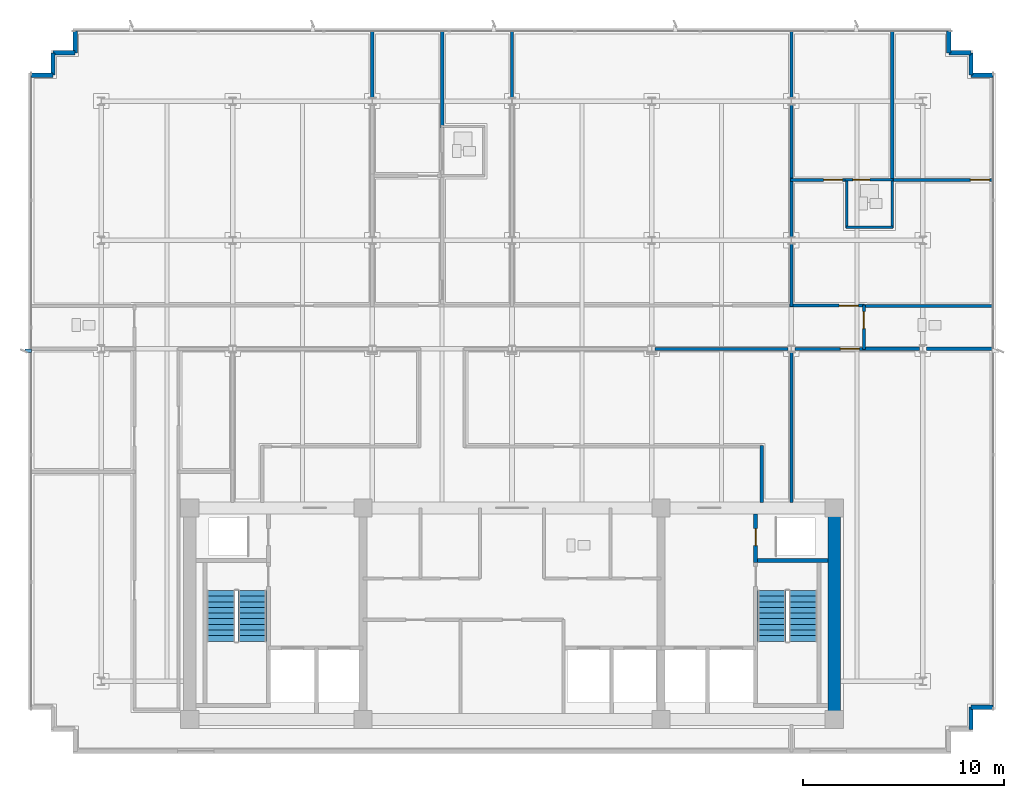
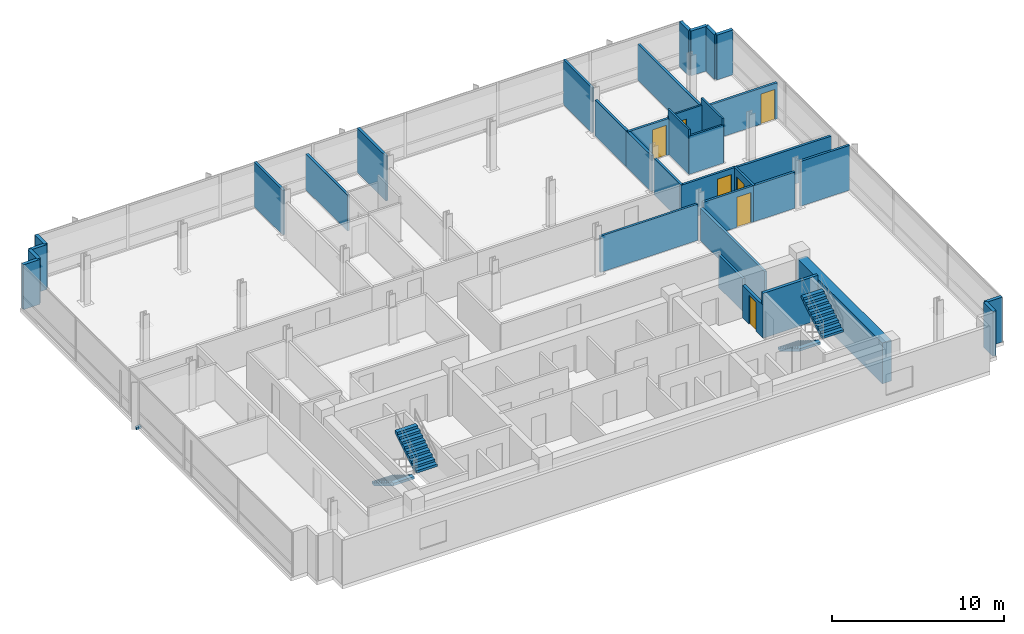
# One storey, part 12 of 18: 36 walls, 7 doors, 4 stair flights, 1 discrete accessory, 7 openings, 2 elements without a shape of their own.
"""IFC4 building model written with IfcOpenShell, lengths in metres."""

from ifc_helpers import new_model, si_unit, direction, frame, frame_2d, origin, origin_2d, place, context, subcontext, project, spatial, polyline, rectangle, outline, extrude, material, layer, layer_set, type_object, element, fill, aggregate, save


model = new_model("IFC4")

# Units and contexts
model_context = context("Model", 3, precision=1e-05, world=origin(), true_north=direction((0.0, 1.0)))
body_context = subcontext(model_context, "Body", "Model", "MODEL_VIEW")
ifc_project = project(units=[si_unit("LENGTHUNIT", "METRE"), si_unit("AREAUNIT", "SQUARE_METRE"), si_unit("VOLUMEUNIT", "CUBIC_METRE"), si_unit("PLANEANGLEUNIT", "RADIAN"), si_unit("MASSUNIT", "GRAM", prefix="KILO")], contexts=[model_context])

# Site, building, storey
site_placement = place(None, origin())
site = spatial("IfcSite", under=ifc_project, at=site_placement, CompositionType="ELEMENT")
building_placement = place(site_placement, origin())
building = spatial("IfcBuilding", under=site, at=building_placement, Name="Solmavex Isthmus Hotel", CompositionType="ELEMENT")
storey_placement = place(building_placement, frame((0.0, 0.0, 283.35009765625)))
storey = spatial("IfcBuildingStorey", under=building, at=storey_placement, Name="L77", CompositionType="ELEMENT", Elevation=283.35009765625)

# Walls
ifc_material_1 = material(Name="Precast Concrete C40/50", Category="concrete")
ifc_layer_1 = layer(ifc_material_1, 0.25)
ifc_layer_set_1 = layer_set([ifc_layer_1], Name="Precast Concrete C40/50")
wall_type_1 = type_object("IfcWallType", Name="EW-TWR-250", PredefinedType="STANDARD", material=ifc_layer_set_1)
wall_1_placement = place(storey_placement, frame((-23.889892578125, 18.989990234375, 0.0), z_axis=(0.0, 0.0, 1.0), x_axis=(1.0, 0.0, 0.0)))
element("IfcWall", 1, at=wall_1_placement, inside=storey, type_object=wall_type_1, Name="Serrated Corner Facade Panel L77-06", PredefinedType="STANDARD", context=body_context, shape_type="SweptSolid", body=[
    extrude(rectangle(XDim=1.099853515625, YDim=0.219970703125, at=frame_2d((0.5498046875, 0.0))), origin(), (0.0, 0.0, 1.0), 3.18994140625),
])
for number, where, z_axis, x_axis, name in (
    (2, (-22.7900390625, 18.989990234375, 0.0), (0.0, 0.0, 1.0), (0.0, 1.0, 0.0), "Serrated Corner Facade Panel L77-07"),
    (3, (-22.7900390625, 20.090087890625, 0.0), (0.0, 0.0, 1.0), (1.0, 0.0, 0.0), "Serrated Corner Facade Panel L77-08"),
):
    element("IfcWall", number, at=place(storey_placement, frame(where, z_axis=z_axis, x_axis=x_axis)), inside=storey, type_object=wall_type_1, Name=name, PredefinedType="STANDARD", context=body_context, shape_type="SweptSolid", body=[
        extrude(rectangle(XDim=1.10009765625, YDim=0.219970703125, at=frame_2d((0.550048828125, 0.0))), origin(), (0.0, 0.0, 1.0), 3.18994140625),
    ])
for number, where, z_axis, x_axis, name in (
    (4, (-21.68994140625, 20.090087890625, 0.0), (0.0, 0.0, 1.0), (0.0, 1.0, 0.0), "Serrated Corner Facade Panel L77-09"),
    (5, (21.68994140625, 21.18994140625, 0.0), (0.0, 0.0, 1.0), (0.0, -1.0, 0.0), "Serrated Corner Facade Panel L77-11"),
):
    element("IfcWall", number, at=place(storey_placement, frame(where, z_axis=z_axis, x_axis=x_axis)), inside=storey, type_object=wall_type_1, Name=name, PredefinedType="STANDARD", context=body_context, shape_type="SweptSolid", body=[
        extrude(rectangle(XDim=1.099853515625, YDim=0.219970703125, at=frame_2d((0.5498046875, 0.0))), origin(), (0.0, 0.0, 1.0), 3.18994140625),
    ])
for number, where, z_axis, x_axis, name in (
    (6, (21.68994140625, 20.090087890625, 0.0), (0.0, 0.0, 1.0), (1.0, 0.0, 0.0), "Serrated Corner Facade Panel L77-12"),
    (7, (22.7900390625, 20.090087890625, 0.0), (0.0, 0.0, 1.0), (0.0, -1.0, 0.0), "Serrated Corner Facade Panel L77-13"),
):
    element("IfcWall", number, at=place(storey_placement, frame(where, z_axis=z_axis, x_axis=x_axis)), inside=storey, type_object=wall_type_1, Name=name, PredefinedType="STANDARD", context=body_context, shape_type="SweptSolid", body=[
        extrude(rectangle(XDim=1.10009765625, YDim=0.219970703125, at=frame_2d((0.550048828125, 0.0))), origin(), (0.0, 0.0, 1.0), 3.18994140625),
    ])
for number, where, z_axis, x_axis, name in (
    (8, (22.7900390625, 18.989990234375, 0.0), (0.0, 0.0, 1.0), (1.0, 0.0, 0.0), "Serrated Corner Facade Panel L77-14"),
    (9, (23.889892578125, -12.389892578125, 0.0), (0.0, 0.0, 1.0), (-1.0, 0.0, 0.0), "Serrated Corner Facade Panel L77-16"),
):
    element("IfcWall", number, at=place(storey_placement, frame(where, z_axis=z_axis, x_axis=x_axis)), inside=storey, type_object=wall_type_1, Name=name, PredefinedType="STANDARD", context=body_context, shape_type="SweptSolid", body=[
        extrude(rectangle(XDim=1.099853515625, YDim=0.219970703125, at=frame_2d((0.5498046875, 0.0))), origin(), (0.0, 0.0, 1.0), 3.18994140625),
    ])
wall_2_placement = place(storey_placement, frame((22.7900390625, -12.389892578125, 0.0), z_axis=(0.0, 0.0, 1.0), x_axis=(0.0, -1.0, 0.0)))
element("IfcWall", 10, at=wall_2_placement, inside=storey, type_object=wall_type_1, Name="Serrated Corner Facade Panel L77-17", PredefinedType="STANDARD", context=body_context, shape_type="SweptSolid", body=[
    extrude(rectangle(XDim=1.10009765625, YDim=0.219970703125, at=frame_2d((0.550048828125, 0.0))), origin(), (0.0, 0.0, 1.0), 3.18994140625),
])
ifc_material_2 = material(Name="Gypsum plasterboard lining", Category="gypsum")
ifc_layer_2 = layer(ifc_material_2, 0.159912109375)
ifc_layer_set_2 = layer_set([ifc_layer_2], Name="Gypsum plasterboard lining")
wall_type_2 = type_object("IfcWallType", Name="IW-COMP-160", PredefinedType="PARTITIONING", material=ifc_layer_set_2)
wall_3_placement = place(storey_placement, frame((-6.93603515625, 21.219970703125, 0.0), z_axis=(0.0, 0.0, 1.0), x_axis=(0.0, -1.0, 0.0)))
element("IfcWall", 11, at=wall_3_placement, inside=storey, type_object=wall_type_2, Name="Interior Partition Wall W-L77-P032", PredefinedType="PARTITIONING", context=body_context, shape_type="SweptSolid", body=[
    extrude(rectangle(XDim=3.344970703125, YDim=0.159912109375, at=frame_2d((1.67236328125, 0.0))), origin(), (0.0, 0.0, 1.0), 3.18994140625),
])
wall_4_placement = place(storey_placement, frame((-3.468017578125, 21.219970703125, 0.0), z_axis=(0.0, 0.0, 1.0), x_axis=(0.0, -1.0, 0.0)))
element("IfcWall", 12, at=wall_4_placement, inside=storey, type_object=wall_type_2, Name="Interior Partition Wall W-L77-P036", PredefinedType="PARTITIONING", context=body_context, shape_type="SweptSolid", body=[
    extrude(rectangle(XDim=4.864013671875, YDim=0.159912109375, at=frame_2d((2.43212890625, 0.0))), origin(), (0.0, 0.0, 1.0), 2.557373046875),
])
wall_5_placement = place(storey_placement, frame((0.0, 21.219970703125, 0.0), z_axis=(0.0, 0.0, 1.0), x_axis=(0.0, -1.0, 0.0)))
element("IfcWall", 13, at=wall_5_placement, inside=storey, type_object=wall_type_2, Name="Interior Partition Wall W-L77-P043", PredefinedType="PARTITIONING", context=body_context, shape_type="SweptSolid", body=[
    extrude(rectangle(XDim=3.344970703125, YDim=0.159912109375, at=frame_2d((1.67236328125, 0.0))), origin(), (0.0, 0.0, 1.0), 3.18994140625),
])
wall_6_placement = place(storey_placement, frame((13.8720703125, 10.613037109375, 0.0), z_axis=(0.0, 0.0, 1.0), x_axis=(0.0, -1.0, 0.0)))
element("IfcWall", 14, at=wall_6_placement, inside=storey, type_object=wall_type_2, Name="Interior Partition Wall W-L77-P044", PredefinedType="PARTITIONING", context=body_context, shape_type="SweptSolid", body=[
    extrude(rectangle(XDim=3.10302734375, YDim=0.159912109375, at=frame_2d((1.551513671875, 0.0))), origin(), (0.0, 0.0, 1.0), 2.572265625),
])
wall_7_placement = place(storey_placement, frame((13.8720703125, 13.8701171875, 0.0), z_axis=(0.0, 0.0, 1.0), x_axis=(0.0, -1.0, 0.0)))
element("IfcWall", 15, at=wall_7_placement, inside=storey, type_object=wall_type_2, Name="Interior Partition Wall W-L77-P045", PredefinedType="PARTITIONING", context=body_context, shape_type="SweptSolid", body=[
    extrude(rectangle(XDim=2.9072265625, YDim=0.159912109375, at=frame_2d((1.45361328125, 0.0))), origin(), (0.0, 0.0, 1.0), 2.572265625),
])
wall_8_placement = place(storey_placement, frame((13.8720703125, 17.52490234375, 0.0), z_axis=(0.0, 0.0, 1.0), x_axis=(0.0, -1.0, 0.0)))
element("IfcWall", 16, at=wall_8_placement, inside=storey, type_object=wall_type_2, Name="Interior Partition Wall W-L77-P046", PredefinedType="PARTITIONING", context=body_context, shape_type="SweptSolid", body=[
    extrude(rectangle(XDim=3.81884765625, YDim=0.159912109375, at=frame_2d((1.909423828125, 0.0))), origin(), (0.0, 0.0, 1.0), 2.572265625),
])
wall_9_placement = place(storey_placement, frame((13.8720703125, 21.219970703125, 0.0), z_axis=(0.0, 0.0, 1.0), x_axis=(0.0, -1.0, 0.0)))
element("IfcWall", 17, at=wall_9_placement, inside=storey, type_object=wall_type_2, Name="Interior Partition Wall W-L77-P047", PredefinedType="PARTITIONING", context=body_context, shape_type="SweptSolid", body=[
    extrude(rectangle(XDim=3.344970703125, YDim=0.159912109375, at=frame_2d((1.67236328125, 0.0))), origin(), (0.0, 0.0, 1.0), 3.18994140625),
])

# Wall, opening, door
wall_10_placement = place(storey_placement, frame((13.83203125, 13.7880859375, 0.0), z_axis=(0.0, 0.0, 1.0), x_axis=(1.0, 0.0, 0.0)))
wall_10 = element("IfcWall", 18, at=wall_10_placement, inside=storey, type_object=wall_type_2, Name="Interior Partition Wall W-L77-P048", PredefinedType="PARTITIONING", context=body_context, shape_type="SweptSolid", body=[
    extrude(rectangle(XDim=2.833984375, YDim=0.159912109375, at=frame_2d((1.4169921875, 0.0))), origin(), (0.0, 0.0, 1.0), 2.572265625),
])
opening_1_placement = place(wall_10_placement, frame((1.635986328125, 0.0, 0.0)))
opening_1 = element("IfcOpeningElement", 19, at=opening_1_placement, cuts=wall_10, Name="Opening ID-C095", PredefinedType="OPENING", context=body_context, shape_type="SweptSolid", body=[
    extrude(rectangle(XDim=0.949951171875, YDim=2.14990234375, at=frame_2d((0.47509765625, 1.074951171875))), frame((0.0, 0.08984375, 0.0), z_axis=(0.0, -1.0, 0.0), x_axis=(1.0, 0.0, 0.0)), (0.0, 0.0, 1.0), 0.179931640625),
])
ifc_material_3 = material(Name="Hardwood timber", Category="wood")
door_type_1 = type_object("IfcDoorType", Name="IDR-FD60-0950", OperationType="NOTDEFINED", PredefinedType="DOOR", material=ifc_material_3)
door_1_placement = place(opening_1_placement, origin())
door_1 = element("IfcDoor", 20, at=door_1_placement, inside=storey, type_object=door_type_1, Name="Ambassador Panorama Suite Master Bedroom Door L77-08", OperationType="SINGLE_SWING_RIGHT", OverallHeight=2.14990234375, OverallWidth=0.949951171875, PredefinedType="DOOR", context=body_context, shape_type="SweptSolid", body=[
    extrude(rectangle(XDim=0.949951171875, YDim=2.14990234375, at=frame_2d((0.47509765625, 1.074951171875))), frame((0.0, 0.02490234375, 0.0), z_axis=(0.0, -1.0, 0.0), x_axis=(1.0, 0.0, 0.0)), (0.0, 0.0, 1.0), 0.050048828125),
])
fill(opening_1, door_1)

wall_11_placement = place(storey_placement, frame((18.8359375, 13.7880859375, 0.0), z_axis=(0.0, 0.0, 1.0), x_axis=(1.0, 0.0, 0.0)))
wall_11 = element("IfcWall", 21, at=wall_11_placement, inside=storey, type_object=wall_type_2, Name="Interior Partition Wall W-L77-P049", PredefinedType="PARTITIONING", context=body_context, shape_type="SweptSolid", body=[
    extrude(rectangle(XDim=5.083984375, YDim=0.159912109375, at=frame_2d((2.5419921875, 0.0))), origin(), (0.0, 0.0, 1.0), 2.557373046875),
])
opening_2_placement = place(wall_11_placement, frame((3.924072265625, 0.0, 0.0)))
opening_2 = element("IfcOpeningElement", 22, at=opening_2_placement, cuts=wall_11, Name="Opening ID-C095", PredefinedType="OPENING", context=body_context, shape_type="SweptSolid", body=[
    extrude(rectangle(XDim=0.949951171875, YDim=2.14990234375, at=frame_2d((0.47509765625, 1.074951171875))), frame((0.0, 0.08984375, 0.0), z_axis=(0.0, -1.0, 0.0), x_axis=(1.0, 0.0, 0.0)), (0.0, 0.0, 1.0), 0.179931640625),
])
door_2_placement = place(opening_2_placement, origin())
door_2 = element("IfcDoor", 23, at=door_2_placement, inside=storey, type_object=door_type_1, Name="Ambassador Panorama Suite Panorama Sitting Study Door L77-09", OperationType="SINGLE_SWING_LEFT", OverallHeight=2.14990234375, OverallWidth=0.949951171875, PredefinedType="DOOR", context=body_context, shape_type="SweptSolid", body=[
    extrude(rectangle(XDim=0.949951171875, YDim=2.14990234375, at=frame_2d((0.47509765625, 1.074951171875))), frame((0.0, 0.02490234375, 0.0), z_axis=(0.0, -1.0, 0.0), x_axis=(1.0, 0.0, 0.0)), (0.0, 0.0, 1.0), 0.050048828125),
])
fill(opening_2, door_2)

# Walls
wall_12_placement = place(storey_placement, frame((23.919921875, 7.530029296875, 0.0), z_axis=(0.0, 0.0, 1.0), x_axis=(-1.0, 0.0, 0.0)))
element("IfcWall", 24, at=wall_12_placement, inside=storey, type_object=wall_type_2, Name="Interior Partition Wall W-L77-P053", PredefinedType="PARTITIONING", context=body_context, shape_type="SweptSolid", body=[
    extrude(rectangle(XDim=6.488037109375, YDim=0.159912109375, at=frame_2d((3.244140625, 0.0))), origin(), (0.0, 0.0, 1.0), 2.557373046875),
])
wall_13_placement = place(storey_placement, frame((18.8759765625, 21.219970703125, 0.0), z_axis=(0.0, 0.0, 1.0), x_axis=(0.0, -1.0, 0.0)))
element("IfcWall", 25, at=wall_13_placement, inside=storey, type_object=wall_type_2, Name="Interior Partition Wall W-L77-P054", PredefinedType="PARTITIONING", context=body_context, shape_type="SweptSolid", body=[
    extrude(rectangle(XDim=7.471923828125, YDim=0.159912109375, at=frame_2d((3.73583984375, 0.0))), origin(), (0.0, 0.0, 1.0), 2.557373046875),
])
wall_14_placement = place(storey_placement, frame((20.22509765625, 5.39990234375, 0.0), z_axis=(0.0, 0.0, 1.0), x_axis=(-1.0, 0.0, 0.0)))
element("IfcWall", 26, at=wall_14_placement, inside=storey, type_object=wall_type_2, Name="Interior Partition Wall W-L77-P058", PredefinedType="PARTITIONING", context=body_context, shape_type="SweptSolid", body=[
    extrude(rectangle(XDim=2.793212890625, YDim=0.159912109375, at=frame_2d((1.396484375, 0.0))), origin(), (0.0, 0.0, 1.0), 2.572265625),
])
wall_15_placement = place(storey_placement, frame((23.919921875, 5.39990234375, 0.0), z_axis=(0.0, 0.0, 1.0), x_axis=(-1.0, 0.0, 0.0)))
element("IfcWall", 27, at=wall_15_placement, inside=storey, type_object=wall_type_2, Name="Interior Partition Wall W-L77-P059", PredefinedType="PARTITIONING", context=body_context, shape_type="SweptSolid", body=[
    extrude(rectangle(XDim=3.344970703125, YDim=0.159912109375, at=frame_2d((1.67236328125, 0.0))), origin(), (0.0, 0.0, 1.0), 3.18994140625),
])
wall_16_placement = place(storey_placement, frame((13.8720703125, 5.22509765625, 0.0), z_axis=(0.0, 0.0, 1.0), x_axis=(0.0, -1.0, 0.0)))
element("IfcWall", 28, at=wall_16_placement, inside=storey, type_object=wall_type_2, Name="Interior Partition Wall W-L77-P064", PredefinedType="PARTITIONING", context=body_context, shape_type="SweptSolid", body=[
    extrude(rectangle(XDim=7.465087890625, YDim=0.159912109375, at=frame_2d((3.732421875, 0.0))), origin(), (0.0, 0.0, 1.0), 2.324951171875),
])

# Wall, opening, door
ifc_layer_3 = layer(ifc_material_2, 0.14990234375)
ifc_layer_set_3 = layer_set([ifc_layer_3], Name="Gypsum plasterboard lining")
wall_type_3 = type_object("IfcWallType", Name="IW-CORR-150", PredefinedType="PARTITIONING", material=ifc_layer_set_3)
wall_17_placement = place(storey_placement, frame((13.7900390625, 7.550048828125, 0.0), z_axis=(0.0, 0.0, 1.0), x_axis=(1.0, 0.0, 0.0)))
wall_17 = element("IfcWall", 29, at=wall_17_placement, inside=storey, type_object=wall_type_3, Name="Interior Partition Wall W-L77-P005", PredefinedType="PARTITIONING", context=body_context, shape_type="SweptSolid", body=[
    extrude(rectangle(XDim=3.721923828125, YDim=0.14990234375, at=frame_2d((1.86083984375, 0.0))), origin(), (0.0, 0.0, 1.0), 2.572265625),
])
opening_3_placement = place(wall_17_placement, frame((2.456787109375, 0.0, 0.0)))
opening_3 = element("IfcOpeningElement", 30, at=opening_3_placement, cuts=wall_17, Name="Opening ID-C095", PredefinedType="OPENING", context=body_context, shape_type="SweptSolid", body=[
    extrude(rectangle(XDim=0.949951171875, YDim=2.14990234375, at=frame_2d((0.47509765625, 1.074951171875))), frame((0.0, 0.0849609375, 0.0), z_axis=(0.0, -1.0, 0.0), x_axis=(1.0, 0.0, 0.0)), (0.0, 0.0, 1.0), 0.169921875),
])
door_3_placement = place(opening_3_placement, origin())
door_3 = element("IfcDoor", 31, at=door_3_placement, inside=storey, type_object=door_type_1, Name="Ambassador Panorama Suite Living Salon Door L77-07", OperationType="SINGLE_SWING_LEFT", OverallHeight=2.14990234375, OverallWidth=0.949951171875, PredefinedType="DOOR", context=body_context, shape_type="SweptSolid", body=[
    extrude(rectangle(XDim=0.949951171875, YDim=2.14990234375, at=frame_2d((0.47509765625, 1.074951171875))), frame((0.0, 0.02490234375, 0.0), z_axis=(0.0, -1.0, 0.0), x_axis=(1.0, 0.0, 0.0)), (0.0, 0.0, 1.0), 0.050048828125),
])
fill(opening_3, door_3)

wall_18_placement = place(storey_placement, frame((17.471923828125, 7.570068359375, 0.0), z_axis=(0.0, 0.0, 1.0), x_axis=(0.0, -1.0, 0.0)))
wall_18 = element("IfcWall", 32, at=wall_18_placement, inside=storey, type_object=wall_type_3, Name="Interior Partition Wall W-L77-P007", PredefinedType="PARTITIONING", context=body_context, shape_type="SweptSolid", body=[
    extrude(rectangle(XDim=2.2099609375, YDim=0.14990234375, at=frame_2d((1.10498046875, 0.0))), origin(), (0.0, 0.0, 1.0), 2.572265625),
])
opening_4_placement = place(wall_18_placement, frame((0.322265625, 0.0, 0.0)))
opening_4 = element("IfcOpeningElement", 33, at=opening_4_placement, cuts=wall_18, Name="Opening ID-R085", PredefinedType="OPENING", context=body_context, shape_type="SweptSolid", body=[
    extrude(rectangle(XDim=0.85009765625, YDim=2.050048828125, at=frame_2d((0.425048828125, 1.02490234375))), frame((0.0, 0.0849609375, 0.0), z_axis=(0.0, -1.0, 0.0), x_axis=(1.0, 0.0, 0.0)), (0.0, 0.0, 1.0), 0.169921875),
])
ifc_material_4 = material(Name="Steel ASTM A500 Grade C", Category="steel")
door_type_2 = type_object("IfcDoorType", Name="IDR-FD60-0850", OperationType="NOTDEFINED", PredefinedType="DOOR", material=ifc_material_4)
door_4_placement = place(opening_4_placement, frame((0.85009765625, 0.0, 0.0), z_axis=(0.0, 0.0, 1.0), x_axis=(-1.0, 0.0, 0.0)))
door_4 = element("IfcDoor", 34, at=door_4_placement, inside=storey, type_object=door_type_2, Name="Public Restroom WC Door L77-12", OperationType="SINGLE_SWING_RIGHT", OverallHeight=2.050048828125, OverallWidth=0.85009765625, PredefinedType="DOOR", context=body_context, shape_type="SweptSolid", body=[
    extrude(rectangle(XDim=0.85009765625, YDim=2.050048828125, at=frame_2d((0.425048828125, 1.02490234375))), frame((0.0, 0.02490234375, 0.0), z_axis=(0.0, -1.0, 0.0), x_axis=(1.0, 0.0, 0.0)), (0.0, 0.0, 1.0), 0.050048828125),
])
fill(opening_4, door_4)

# Walls
wall_19_placement = place(storey_placement, frame((13.697021484375, 5.39990234375, 0.0), z_axis=(0.0, 0.0, 1.0), x_axis=(-1.0, 0.0, 0.0)))
element("IfcWall", 35, at=wall_19_placement, inside=storey, type_object=wall_type_3, Name="Interior Partition Wall W-L77-P017", PredefinedType="PARTITIONING", context=body_context, shape_type="SweptSolid", body=[
    extrude(rectangle(XDim=6.5859375, YDim=0.14990234375, at=frame_2d((3.29296875, 0.0))), origin(), (0.0, 0.0, 1.0), 2.572265625),
])
wall_20_placement = place(storey_placement, frame((12.39990234375, 0.590087890625, 0.0), z_axis=(0.0, 0.0, 1.0), x_axis=(0.0, -1.0, 0.0)))
element("IfcWall", 36, at=wall_20_placement, inside=storey, type_object=wall_type_3, Name="Interior Partition Wall W-L77-P024", PredefinedType="PARTITIONING", context=body_context, shape_type="SweptSolid", body=[
    extrude(rectangle(XDim=2.830078125, YDim=0.14990234375, at=frame_2d((1.4150390625, 0.0))), origin(), (0.0, 0.0, 1.0), 2.324951171875),
])

# Wall, opening, door
wall_21_placement = place(storey_placement, frame((17.511962890625, 5.39990234375, 0.0), z_axis=(0.0, 0.0, 1.0), x_axis=(-1.0, 0.0, 0.0)))
wall_21 = element("IfcWall", 37, at=wall_21_placement, inside=storey, type_object=wall_type_3, Name="Interior Partition Wall W-L77-P028", PredefinedType="PARTITIONING", context=body_context, shape_type="SweptSolid", body=[
    extrude(rectangle(XDim=3.46484375, YDim=0.14990234375, at=frame_2d((1.732421875, 0.0))), origin(), (0.0, 0.0, 1.0), 2.572265625),
])
opening_5_placement = place(wall_21_placement, frame((0.26220703125, 0.0, 0.0)))
opening_5 = element("IfcOpeningElement", 38, at=opening_5_placement, cuts=wall_21, Name="Opening ID-C095", PredefinedType="OPENING", context=body_context, shape_type="SweptSolid", body=[
    extrude(rectangle(XDim=0.949951171875, YDim=2.14990234375, at=frame_2d((0.47509765625, 1.074951171875))), frame((0.0, 0.0849609375, 0.0), z_axis=(0.0, -1.0, 0.0), x_axis=(1.0, 0.0, 0.0)), (0.0, 0.0, 1.0), 0.169921875),
])
door_5_placement = place(opening_5_placement, origin())
door_5 = element("IfcDoor", 39, at=door_5_placement, inside=storey, type_object=door_type_1, Name="Corporate Briefing Office Door L77-18", OperationType="SINGLE_SWING_RIGHT", OverallHeight=2.14990234375, OverallWidth=0.949951171875, PredefinedType="DOOR", context=body_context, shape_type="SweptSolid", body=[
    extrude(rectangle(XDim=0.949951171875, YDim=2.14990234375, at=frame_2d((0.47509765625, 1.074951171875))), frame((0.0, 0.02490234375, 0.0), z_axis=(0.0, -1.0, 0.0), x_axis=(1.0, 0.0, 0.0)), (0.0, 0.0, 1.0), 0.050048828125),
])
fill(opening_5, door_5)

# Walls
ifc_layer_4 = layer(ifc_material_2, 0.1201171875)
ifc_layer_set_4 = layer_set([ifc_layer_4], Name="Gypsum plasterboard lining")
wall_type_4 = type_object("IfcWallType", Name="IW-PART-120", PredefinedType="PARTITIONING", material=ifc_layer_set_4)
wall_22_placement = place(storey_placement, frame((16.6259765625, 13.827880859375, 0.0), z_axis=(0.0, 0.0, 1.0), x_axis=(0.0, -1.0, 0.0)))
element("IfcWall", 40, at=wall_22_placement, inside=storey, type_object=wall_type_4, Name="Interior Partition Wall W-L77-P050", PredefinedType="PARTITIONING", context=body_context, shape_type="SweptSolid", body=[
    extrude(rectangle(XDim=2.429931640625, YDim=0.1201171875, at=frame_2d((1.21484375, 0.0))), origin(), (0.0, 0.0, 1.0), 3.18994140625),
])
wall_23_placement = place(storey_placement, frame((16.5859375, 11.43798828125, 0.0), z_axis=(0.0, 0.0, 1.0), x_axis=(1.0, 0.0, 0.0)))
element("IfcWall", 41, at=wall_23_placement, inside=storey, type_object=wall_type_4, Name="Interior Partition Wall W-L77-P051", PredefinedType="PARTITIONING", context=body_context, shape_type="SweptSolid", body=[
    extrude(rectangle(XDim=2.330078125, YDim=0.1201171875, at=frame_2d((1.1650390625, 0.0))), origin(), (0.0, 0.0, 1.0), 2.718017578125),
])
wall_24_placement = place(storey_placement, frame((18.8759765625, 11.39794921875, 0.0), z_axis=(0.0, 0.0, 1.0), x_axis=(0.0, 1.0, 0.0)))
element("IfcWall", 42, at=wall_24_placement, inside=storey, type_object=wall_type_4, Name="Interior Partition Wall W-L77-P052", PredefinedType="PARTITIONING", context=body_context, shape_type="SweptSolid", body=[
    extrude(rectangle(XDim=2.429931640625, YDim=0.1201171875, at=frame_2d((1.21484375, 0.0))), origin(), (0.0, 0.0, 1.0), 3.18994140625),
])

# Wall, opening, door
wall_25_placement = place(storey_placement, frame((18.916015625, 13.7880859375, 0.0), z_axis=(0.0, 0.0, 1.0), x_axis=(-1.0, 0.0, 0.0)))
wall_25 = element("IfcWall", 43, at=wall_25_placement, inside=storey, type_object=wall_type_4, Name="Interior Partition Wall W-L77-P055", PredefinedType="PARTITIONING", context=body_context, shape_type="SweptSolid", body=[
    extrude(rectangle(XDim=2.3720703125, YDim=0.1201171875, at=frame_2d((1.18603515625, 0.0))), origin(), (0.0, 0.0, 1.0), 2.718017578125),
])
opening_6_placement = place(wall_25_placement, frame((1.14599609375, 0.0, 0.0)))
opening_6 = element("IfcOpeningElement", 44, at=opening_6_placement, cuts=wall_25, Name="Opening ID-U085", PredefinedType="OPENING", context=body_context, shape_type="SweptSolid", body=[
    extrude(rectangle(XDim=0.85009765625, YDim=2.10009765625, at=frame_2d((0.425048828125, 1.050048828125))), frame((0.0, 0.070068359375, 0.0), z_axis=(0.0, -1.0, 0.0), x_axis=(1.0, 0.0, 0.0)), (0.0, 0.0, 1.0), 0.14013671875),
])
door_type_3 = type_object("IfcDoorType", Name="IDR-UNR-0850", OperationType="NOTDEFINED", PredefinedType="DOOR", material=ifc_material_3)
door_6_placement = place(opening_6_placement, frame((0.85009765625, 0.0, 0.0), z_axis=(0.0, 0.0, 1.0), x_axis=(-1.0, 0.0, 0.0)))
door_6 = element("IfcDoor", 45, at=door_6_placement, inside=storey, type_object=door_type_3, Name="En-suite Bathroom Door L77-10", OperationType="SINGLE_SWING_RIGHT", OverallHeight=2.10009765625, OverallWidth=0.85009765625, PredefinedType="DOOR", context=body_context, shape_type="SweptSolid", body=[
    extrude(rectangle(XDim=0.85009765625, YDim=2.10009765625, at=frame_2d((0.425048828125, 1.050048828125))), frame((0.0, 0.02490234375, 0.0), z_axis=(0.0, -1.0, 0.0), x_axis=(1.0, 0.0, 0.0)), (0.0, 0.0, 1.0), 0.050048828125),
])
fill(opening_6, door_6)

ifc_material_5 = material(Name="Concrete C40/50", Category="concrete")
ifc_layer_5 = layer(ifc_material_5, 0.199951171875)
ifc_layer_set_5 = layer_set([ifc_layer_5], Name="Concrete C40/50")
wall_type_5 = type_object("IfcWallType", Name="IW-SHAFT-200", PredefinedType="PARTITIONING", material=ifc_layer_set_5)
wall_26_placement = place(storey_placement, frame((12.10009765625, -5.199951171875, 0.0), z_axis=(0.0, 0.0, 1.0), x_axis=(0.0, 1.0, 0.0)))
wall_26 = element("IfcWall", 46, at=wall_26_placement, inside=storey, type_object=wall_type_5, Name="Interior Partition Wall W-L77-RSE-W", PredefinedType="PARTITIONING", context=body_context, shape_type="SweptSolid", body=[
    extrude(rectangle(XDim=2.39990234375, YDim=0.199951171875, at=frame_2d((1.199951171875, 0.0))), origin(), (0.0, 0.0, 1.0), 2.324951171875),
])
opening_7_placement = place(wall_26_placement, frame((0.824951171875, 0.0, 0.0)))
opening_7 = element("IfcOpeningElement", 47, at=opening_7_placement, cuts=wall_26, Name="Opening ID-R085", PredefinedType="OPENING", context=body_context, shape_type="SweptSolid", body=[
    extrude(rectangle(XDim=0.85009765625, YDim=2.050048828125, at=frame_2d((0.425048828125, 1.02490234375))), frame((0.0, 0.10986328125, 0.0), z_axis=(0.0, -1.0, 0.0), x_axis=(1.0, 0.0, 0.0)), (0.0, 0.0, 1.0), 0.219970703125),
])
door_7_placement = place(opening_7_placement, frame((0.85009765625, 0.0, 0.0), z_axis=(0.0, 0.0, 1.0), x_axis=(-1.0, 0.0, 0.0)))
door_7 = element("IfcDoor", 48, at=door_7_placement, inside=storey, type_object=door_type_2, Name="Mechanical Riser Door L77", OperationType="SINGLE_SWING_LEFT", OverallHeight=2.050048828125, OverallWidth=0.85009765625, PredefinedType="DOOR", context=body_context, shape_type="SweptSolid", body=[
    extrude(rectangle(XDim=0.85009765625, YDim=2.050048828125, at=frame_2d((0.425048828125, 1.02490234375))), frame((0.0, 0.02490234375, 0.0), z_axis=(0.0, -1.0, 0.0), x_axis=(1.0, 0.0, 0.0)), (0.0, 0.0, 1.0), 0.050048828125),
])
fill(opening_7, door_7)

# Walls
ifc_material_6 = material(Name="Concrete C50/60", Category="concrete")
ifc_layer_6 = layer(ifc_material_6, 0.60009765625)
ifc_layer_set_6 = layer_set([ifc_layer_6], Name="Concrete C50/60")
wall_type_6 = type_object("IfcWallType", Name="WALL-CW-600", PredefinedType="SHEAR", material=ifc_layer_set_6)
wall_27_placement = place(storey_placement, frame((16.0, -12.699951171875, 0.0), z_axis=(0.0, 0.0, 1.0), x_axis=(0.0, 1.0, 0.0)))
element("IfcWall", 49, at=wall_27_placement, inside=storey, type_object=wall_type_6, Name="Core Shear Wall East L77", PredefinedType="SHEAR", context=body_context, shape_type="SweptSolid", body=[
    extrude(rectangle(XDim=9.89990234375, YDim=0.60009765625, at=frame_2d((4.949951171875, 0.0))), origin(), (0.0, 0.0, 1.0), 2.909912109375),
])
ifc_layer_7 = layer(ifc_material_5, 0.199951171875)
ifc_layer_set_7 = layer_set([ifc_layer_7], Name="Concrete C40/50")
wall_type_7 = type_object("IfcWallType", Name="WALL-SW-200", PredefinedType="SOLIDWALL", material=ifc_layer_set_7)
wall_28_placement = place(storey_placement, frame((12.0, -5.10009765625, 0.0), z_axis=(0.0, 0.0, 1.0), x_axis=(1.0, 0.0, 0.0)))
element("IfcWall", 50, at=wall_28_placement, inside=storey, type_object=wall_type_7, Name="Stairwell Structural Wall SW-L77-ST2-N", PredefinedType="SOLIDWALL", context=body_context, shape_type="SweptSolid", body=[
    extrude(rectangle(XDim=3.699951171875, YDim=0.199951171875, at=frame_2d((1.85009765625, 0.0))), origin(), (0.0, 0.0, 1.0), 3.18994140625),
])

# Stair, stair flights
stair_type_1 = type_object("IfcStairType", Name="STR-ST-1", PredefinedType="HALF_TURN_STAIR", material=ifc_material_5)
stair_1_placement = place(storey_placement, origin())
stair_1 = element("IfcStair", 51, at=stair_1_placement, inside=storey, type_object=stair_type_1, Name="L77 Protected Exit Stair ST-1", PredefinedType="HALF_TURN_STAIR")
stair_flight_type_1 = type_object("IfcStairFlightType", Name="SFL-ST-1", PredefinedType="STRAIGHT", material=ifc_material_5)
stair_flight_1_placement = place(storey_placement, frame((-14.449951171875, -6.60009765625, 0.0), z_axis=(0.0, 0.0, 1.0), x_axis=(0.0, -1.0, 0.0)))
stair_flight_1 = element("IfcStairFlight", 52, at=stair_flight_1_placement, type_object=stair_flight_type_1, Name="ST-1 flight 1", NumberOfRisers=10, NumberOfTreads=9, PredefinedType="STRAIGHT", RiserHeight=0.1725, TreadLength=0.28, context=body_context, shape_type="SweptSolid", body=[
    extrude(outline(polyline([(0.0, 0.0), (0.0, 0.172607421875), (0.280029296875, 0.172607421875), (0.280029296875, 0.344970703125), (0.56005859375, 0.344970703125), (0.56005859375, 0.517578125), (0.840087890625, 0.517578125), (0.840087890625, 0.68994140625), (1.1201171875, 0.68994140625), (1.1201171875, 0.862548828125), (1.39990234375, 0.862548828125), (1.39990234375, 1.034912109375), (1.679931640625, 1.034912109375), (1.679931640625, 1.20751953125), (1.9599609375, 1.20751953125), (1.9599609375, 1.3798828125), (2.239990234375, 1.3798828125), (2.239990234375, 1.552490234375), (2.52001953125, 1.552490234375), (2.52001953125, 1.72509765625), (2.52001953125, 1.37646484375), (0.285888671875, 0.0), (0.0, 0.0)])), frame((0.0, 0.699951171875, 0.0), z_axis=(0.0, -1.0, 0.0), x_axis=(1.0, 0.0, 0.0)), (0.0, 0.0, 1.0), 1.39990234375),
])
stair_flight_2_placement = place(storey_placement, frame((-12.89990234375, -9.1201171875, 1.724853515625), z_axis=(0.0, 0.0, 1.0), x_axis=(0.0, 1.0, 0.0)))
stair_flight_2 = element("IfcStairFlight", 53, at=stair_flight_2_placement, type_object=stair_flight_type_1, Name="ST-1 flight 2", NumberOfRisers=10, NumberOfTreads=9, PredefinedType="STRAIGHT", RiserHeight=0.1725, TreadLength=0.28, context=body_context, shape_type="SweptSolid", body=[
    extrude(outline(polyline([(0.0, 0.0), (0.0, 0.172607421875), (0.280029296875, 0.172607421875), (0.280029296875, 0.344970703125), (0.56005859375, 0.344970703125), (0.56005859375, 0.517578125), (0.840087890625, 0.517578125), (0.840087890625, 0.68994140625), (1.1201171875, 0.68994140625), (1.1201171875, 0.862548828125), (1.39990234375, 0.862548828125), (1.39990234375, 1.034912109375), (1.679931640625, 1.034912109375), (1.679931640625, 1.20751953125), (1.9599609375, 1.20751953125), (1.9599609375, 1.3798828125), (2.239990234375, 1.3798828125), (2.239990234375, 1.552490234375), (2.52001953125, 1.552490234375), (2.52001953125, 1.72509765625), (2.52001953125, 1.37646484375), (0.285888671875, 0.0), (0.0, 0.0)])), frame((0.0, 0.699951171875, 0.0), z_axis=(0.0, -1.0, 0.0), x_axis=(1.0, 0.0, 0.0)), (0.0, 0.0, 1.0), 1.39990234375),
])
aggregate(stair_1, [stair_flight_1, stair_flight_2])

stair_type_2 = type_object("IfcStairType", Name="STR-ST-2", PredefinedType="HALF_TURN_STAIR", material=ifc_material_5)
stair_2_placement = place(storey_placement, origin())
stair_2 = element("IfcStair", 54, at=stair_2_placement, inside=storey, type_object=stair_type_2, Name="L77 Protected Exit Stair ST-2", PredefinedType="HALF_TURN_STAIR")
stair_flight_type_2 = type_object("IfcStairFlightType", Name="SFL-ST-2", PredefinedType="STRAIGHT", material=ifc_material_5)
stair_flight_3_placement = place(storey_placement, frame((12.89990234375, -6.60009765625, 0.0), z_axis=(0.0, 0.0, 1.0), x_axis=(0.0, -1.0, 0.0)))
stair_flight_3 = element("IfcStairFlight", 55, at=stair_flight_3_placement, type_object=stair_flight_type_2, Name="ST-2 flight 1", NumberOfRisers=10, NumberOfTreads=9, PredefinedType="STRAIGHT", RiserHeight=0.1725, TreadLength=0.28, context=body_context, shape_type="SweptSolid", body=[
    extrude(outline(polyline([(0.0, 0.0), (0.0, 0.172607421875), (0.280029296875, 0.172607421875), (0.280029296875, 0.344970703125), (0.56005859375, 0.344970703125), (0.56005859375, 0.517578125), (0.840087890625, 0.517578125), (0.840087890625, 0.68994140625), (1.1201171875, 0.68994140625), (1.1201171875, 0.862548828125), (1.39990234375, 0.862548828125), (1.39990234375, 1.034912109375), (1.679931640625, 1.034912109375), (1.679931640625, 1.20751953125), (1.9599609375, 1.20751953125), (1.9599609375, 1.3798828125), (2.239990234375, 1.3798828125), (2.239990234375, 1.552490234375), (2.52001953125, 1.552490234375), (2.52001953125, 1.72509765625), (2.52001953125, 1.37646484375), (0.285888671875, 0.0), (0.0, 0.0)])), frame((0.0, 0.699951171875, 0.0), z_axis=(0.0, -1.0, 0.0), x_axis=(1.0, 0.0, 0.0)), (0.0, 0.0, 1.0), 1.39990234375),
])
stair_flight_4_placement = place(storey_placement, frame((14.449951171875, -9.1201171875, 1.724853515625), z_axis=(0.0, 0.0, 1.0), x_axis=(0.0, 1.0, 0.0)))
stair_flight_4 = element("IfcStairFlight", 56, at=stair_flight_4_placement, type_object=stair_flight_type_2, Name="ST-2 flight 2", NumberOfRisers=10, NumberOfTreads=9, PredefinedType="STRAIGHT", RiserHeight=0.1725, TreadLength=0.28, context=body_context, shape_type="SweptSolid", body=[
    extrude(outline(polyline([(0.0, 0.0), (0.0, 0.172607421875), (0.280029296875, 0.172607421875), (0.280029296875, 0.344970703125), (0.56005859375, 0.344970703125), (0.56005859375, 0.517578125), (0.840087890625, 0.517578125), (0.840087890625, 0.68994140625), (1.1201171875, 0.68994140625), (1.1201171875, 0.862548828125), (1.39990234375, 0.862548828125), (1.39990234375, 1.034912109375), (1.679931640625, 1.034912109375), (1.679931640625, 1.20751953125), (1.9599609375, 1.20751953125), (1.9599609375, 1.3798828125), (2.239990234375, 1.3798828125), (2.239990234375, 1.552490234375), (2.52001953125, 1.552490234375), (2.52001953125, 1.72509765625), (2.52001953125, 1.37646484375), (0.285888671875, 0.0), (0.0, 0.0)])), frame((0.0, 0.699951171875, 0.0), z_axis=(0.0, -1.0, 0.0), x_axis=(1.0, 0.0, 0.0)), (0.0, 0.0, 1.0), 1.39990234375),
])
aggregate(stair_2, [stair_flight_3, stair_flight_4])

# Discrete accessory
ifc_material_7 = material(Name="Steel ASTM A572 Grade 50", Category="steel")
discrete_accessory_type = type_object("IfcDiscreteAccessoryType", Name="ACC-BRK-FIN", PredefinedType="BRACKET", material=ifc_material_7)
discrete_accessory_placement = place(storey_placement, frame((-24.02001953125, 5.300048828125, -0.169921875), z_axis=(0.0, 0.0, 1.0), x_axis=(-1.0, 0.0, 0.0)))
element("IfcDiscreteAccessory", 57, at=discrete_accessory_placement, inside=storey, type_object=discrete_accessory_type, Name="Facade Fin Support Bracket L77-W1", PredefinedType="BRACKET", context=body_context, shape_type="SweptSolid", body=[
    extrude(rectangle(XDim=0.340087890625, YDim=0.179931640625, at=origin_2d()), origin(), (0.0, 0.0, 1.0), 0.159912109375),
])

save(model, "model.ifc")
